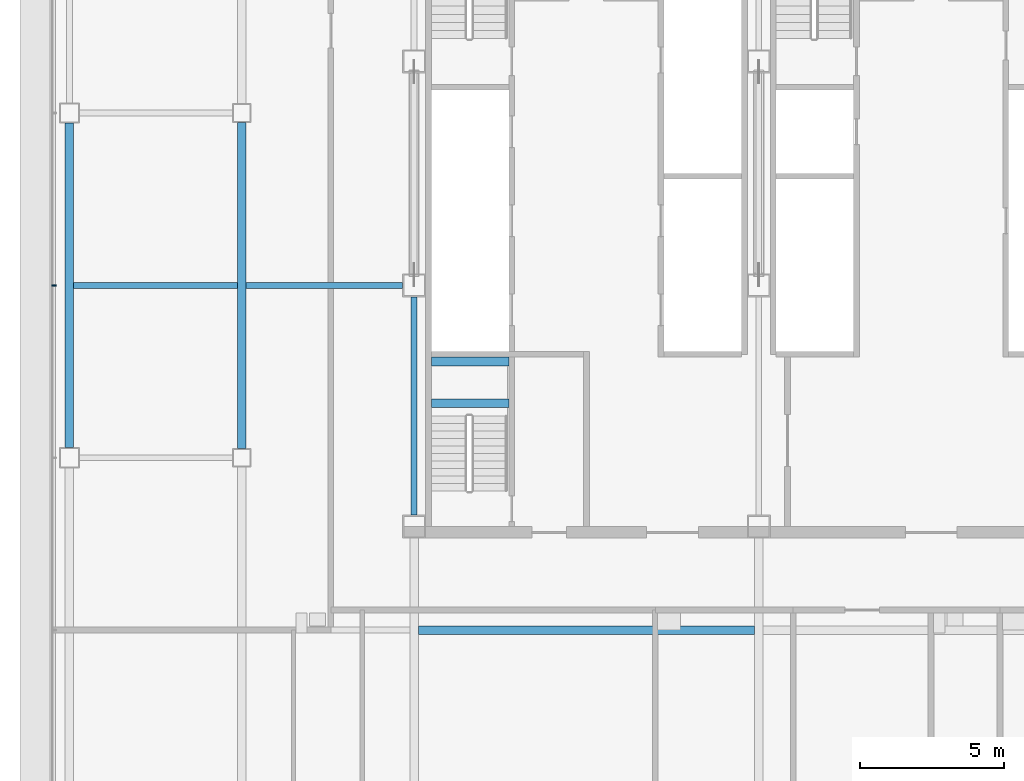
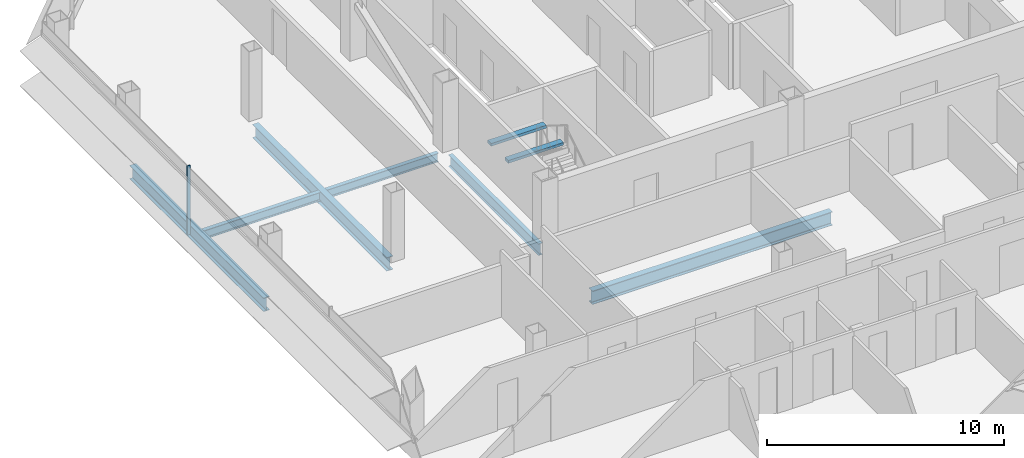
# One storey, part 6 of 26: 8 beams, 1 member, 1 element without a shape of its own.
"""IFC4 building model written with IfcOpenShell, lengths in metres."""

from ifc_helpers import new_model, si_unit, direction, frame, origin, origin_2d, place, context, subcontext, project, spatial, rectangle, i_section, extrude, material, material_profile, profile_set, type_object, element, aggregate, save


model = new_model("IFC4")

# Units and contexts
model_context = context("Model", 3, precision=1e-05, world=origin(), true_north=direction((0.0, 1.0)))
body_context = subcontext(model_context, "Body", "Model", "MODEL_VIEW")
ifc_project = project(units=[si_unit("LENGTHUNIT", "METRE"), si_unit("AREAUNIT", "SQUARE_METRE"), si_unit("VOLUMEUNIT", "CUBIC_METRE"), si_unit("PLANEANGLEUNIT", "RADIAN"), si_unit("MASSUNIT", "GRAM", prefix="KILO")], contexts=[model_context])

# Site, building, storey
site_placement = place(None, origin())
site = spatial("IfcSite", under=ifc_project, at=site_placement, CompositionType="ELEMENT")
building_placement = place(site_placement, origin())
building = spatial("IfcBuilding", under=site, at=building_placement, Name="Sorahane Residences", CompositionType="ELEMENT")
storey_placement = place(building_placement, frame((0.0, 0.0, 158.199951171875)))
storey = spatial("IfcBuildingStorey", under=building, at=storey_placement, Name="L36", CompositionType="ELEMENT", Elevation=158.199951171875)

# Curtain wall, member
ifc_material_1 = material(Name="Dark low-e glass and black anodised aluminium", Category="aluminium")
curtain_wall_type = type_object("IfcCurtainWallType", Name="Curtain wall CW-1 Typical unitised wall", PredefinedType="NOTDEFINED", material=ifc_material_1)
curtain_wall_placement = place(storey_placement, origin())
curtain_wall = element("IfcCurtainWall", 1, at=curtain_wall_placement, inside=storey, type_object=curtain_wall_type, Name="CW-1 curtain wall L36 W1", PredefinedType="NOTDEFINED")
ifc_material_2 = material(Name="Black anodised aluminium", Category="aluminium")
ifc_material_profile_1 = material_profile(ifc_material_2, rectangle(XDim=0.159912109375, YDim=0.050048828125, at=origin_2d()), Name="Curtain wall mullion CW-1 black anodised aluminium 50x160")
ifc_profile_set_1 = profile_set([ifc_material_profile_1], Name="Black anodised aluminium")
member_type = type_object("IfcMemberType", Name="Curtain wall mullion CW-1 black anodised aluminium 50x160", PredefinedType="MULLION", material=ifc_profile_set_1)
member_placement = place(storey_placement, frame((-6.5400390625, 30.0, -0.179931640625), z_axis=(0.0, 0.0, 1.0), x_axis=(-1.0, 0.0, 0.0)))
member = element("IfcMember", 2, at=member_placement, type_object=member_type, Name="CW-1 mullion L36 W1.3", PredefinedType="MULLION", context=body_context, shape_type="SweptSolid", body=[
    extrude(rectangle(XDim=0.159912109375, YDim=0.050048828125, at=origin_2d()), origin(), (0.0, 0.0, 1.0), 3.56005859375),
])
aggregate(curtain_wall, [member])

# Beams
ifc_material_3 = material(Name="Concrete C40", Category="concrete")
ifc_material_profile_2 = material_profile(ifc_material_3, rectangle(XDim=0.300048828125, YDim=0.139892578125, at=origin_2d()), Name="300x140")
ifc_profile_set_2 = profile_set([ifc_material_profile_2], Name="Concrete C40")
beam_type_1 = type_object("IfcBeamType", Name="RC landing beam 300 x 140 Concrete C40", PredefinedType="BEAM", material=ifc_profile_set_2)
for number, where, z_axis, x_axis, name in (
    (3, (6.60009765625, 25.89990234375, 1.530029296875), (1.0, 0.0, 0.0), (0.0, 1.0, 0.0), "Landing beam"),
    (4, (6.60009765625, 27.35009765625, 1.530029296875), (1.0, 0.0, 0.0), (0.0, 1.0, 0.0), "Landing beam"),
):
    element("IfcBeam", number, at=place(storey_placement, frame(where, z_axis=z_axis, x_axis=x_axis)), inside=storey, type_object=beam_type_1, Name=name, PredefinedType="BEAM", context=body_context, shape_type="SweptSolid", body=[
        extrude(rectangle(XDim=0.300048828125, YDim=0.139892578125, at=origin_2d()), origin(), (0.0, 0.0, 1.0), 2.699951171875),
    ])
ifc_material_4 = material(Name="Steel Q355B", Category="steel")
ifc_material_profile_3 = material_profile(ifc_material_4, i_section(OverallWidth=0.199951171875, OverallDepth=0.449951171875, WebThickness=0.009033203125, FlangeThickness=0.013916015625, FilletRadius=0.02001953125, at=origin_2d()), Name="HN 450x200x9x14")
ifc_profile_set_3 = profile_set([ifc_material_profile_3], Name="Steel Q355B")
beam_type_2 = type_object("IfcBeamType", Name="Steel floor beam HN 450x200x9x14 Q355B", PredefinedType="BEAM", material=ifc_profile_set_3)
beam_1_placement = place(storey_placement, frame((-5.85009765625, 30.0, -0.405029296875), z_axis=(1.0, 0.0, 0.0), x_axis=(0.0, 1.0, 0.0)))
element("IfcBeam", 5, at=beam_1_placement, inside=storey, type_object=beam_type_2, Name="Beam L36 085", PredefinedType="BEAM", context=body_context, shape_type="SweptSolid", body=[
    extrude(i_section(OverallWidth=0.199951171875, OverallDepth=0.449951171875, WebThickness=0.009033203125, FlangeThickness=0.013916015625, FilletRadius=0.02001953125, at=origin_2d()), origin(), (0.0, 0.0, 1.0), 5.7001953125),
])
beam_2_placement = place(storey_placement, frame((0.14990234375, 30.0, -0.405029296875), z_axis=(1.0, 0.0, 0.0), x_axis=(0.0, 1.0, 0.0)))
element("IfcBeam", 6, at=beam_2_placement, inside=storey, type_object=beam_type_2, Name="Beam L36 086", PredefinedType="BEAM", context=body_context, shape_type="SweptSolid", body=[
    extrude(i_section(OverallWidth=0.199951171875, OverallDepth=0.449951171875, WebThickness=0.009033203125, FlangeThickness=0.013916015625, FilletRadius=0.02001953125, at=origin_2d()), origin(), (0.0, 0.0, 1.0), 5.4501953125),
])
ifc_material_5 = material(Name="Steel Q355B", Category="steel")
ifc_material_profile_4 = material_profile(ifc_material_5, i_section(OverallWidth=0.199951171875, OverallDepth=0.60009765625, WebThickness=0.010986328125, FlangeThickness=0.01708984375, FilletRadius=0.02392578125, at=origin_2d()), Name="HN 600x200x11x17")
ifc_profile_set_4 = profile_set([ifc_material_profile_4], Name="Steel Q355B")
beam_type_3 = type_object("IfcBeamType", Name="Steel floor beam HN 600x200x11x17 Q355B", PredefinedType="BEAM", material=ifc_profile_set_4)
beam_3_placement = place(storey_placement, frame((6.0, 22.0, -0.47998046875), z_axis=(0.0, 1.0, 0.0), x_axis=(-1.0, 0.0, 0.0)))
element("IfcBeam", 7, at=beam_3_placement, inside=storey, type_object=beam_type_3, Name="Beam L36 030", PredefinedType="BEAM", context=body_context, shape_type="SweptSolid", body=[
    extrude(i_section(OverallWidth=0.199951171875, OverallDepth=0.60009765625, WebThickness=0.010986328125, FlangeThickness=0.01708984375, FilletRadius=0.02392578125, at=origin_2d()), origin(), (0.0, 0.0, 1.0), 7.60009765625),
])
ifc_material_6 = material(Name="Steel Q355B", Category="steel")
ifc_material_profile_5 = material_profile(ifc_material_6, i_section(OverallWidth=0.300048828125, OverallDepth=0.699951171875, WebThickness=0.012939453125, FlangeThickness=0.02392578125, FilletRadius=0.028076171875, at=origin_2d()), Name="HN 700x300x13x24")
ifc_profile_set_5 = profile_set([ifc_material_profile_5], Name="Steel Q355B")
beam_type_4 = type_object("IfcBeamType", Name="Steel floor beam HN 700x300x13x24 Q355B", PredefinedType="BEAM", material=ifc_profile_set_5)
beam_4_placement = place(storey_placement, frame((-6.0, 24.35009765625, -0.530029296875), z_axis=(0.0, 1.0, 0.0), x_axis=(-1.0, 0.0, 0.0)))
element("IfcBeam", 8, at=beam_4_placement, inside=storey, type_object=beam_type_4, Name="Beam L36 022", PredefinedType="BEAM", context=body_context, shape_type="SweptSolid", body=[
    extrude(i_section(OverallWidth=0.300048828125, OverallDepth=0.699951171875, WebThickness=0.012939453125, FlangeThickness=0.02392578125, FilletRadius=0.028076171875, at=origin_2d()), origin(), (0.0, 0.0, 1.0), 11.2998046875),
])
beam_5_placement = place(storey_placement, frame((0.0, 24.324951171875, -0.530029296875), z_axis=(0.0, 1.0, 0.0), x_axis=(-1.0, 0.0, 0.0)))
element("IfcBeam", 9, at=beam_5_placement, inside=storey, type_object=beam_type_4, Name="Beam L36 026", PredefinedType="BEAM", context=body_context, shape_type="SweptSolid", body=[
    extrude(i_section(OverallWidth=0.300048828125, OverallDepth=0.699951171875, WebThickness=0.012939453125, FlangeThickness=0.02392578125, FilletRadius=0.028076171875, at=origin_2d()), origin(), (0.0, 0.0, 1.0), 11.35009765625),
])
beam_6_placement = place(storey_placement, frame((6.14990234375, 18.0, -0.530029296875), z_axis=(1.0, 0.0, 0.0), x_axis=(0.0, 1.0, 0.0)))
element("IfcBeam", 10, at=beam_6_placement, inside=storey, type_object=beam_type_4, Name="Beam L36 080", PredefinedType="BEAM", context=body_context, shape_type="SweptSolid", body=[
    extrude(i_section(OverallWidth=0.300048828125, OverallDepth=0.699951171875, WebThickness=0.012939453125, FlangeThickness=0.02392578125, FilletRadius=0.028076171875, at=origin_2d()), origin(), (0.0, 0.0, 1.0), 11.7001953125),
])

save(model, "model.ifc")
